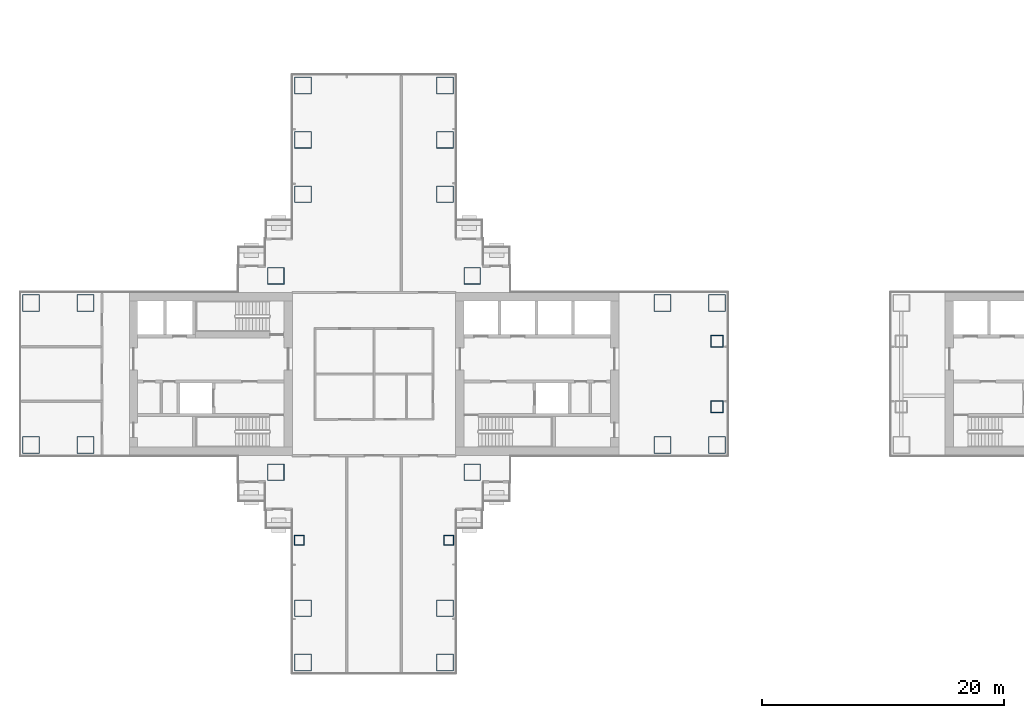
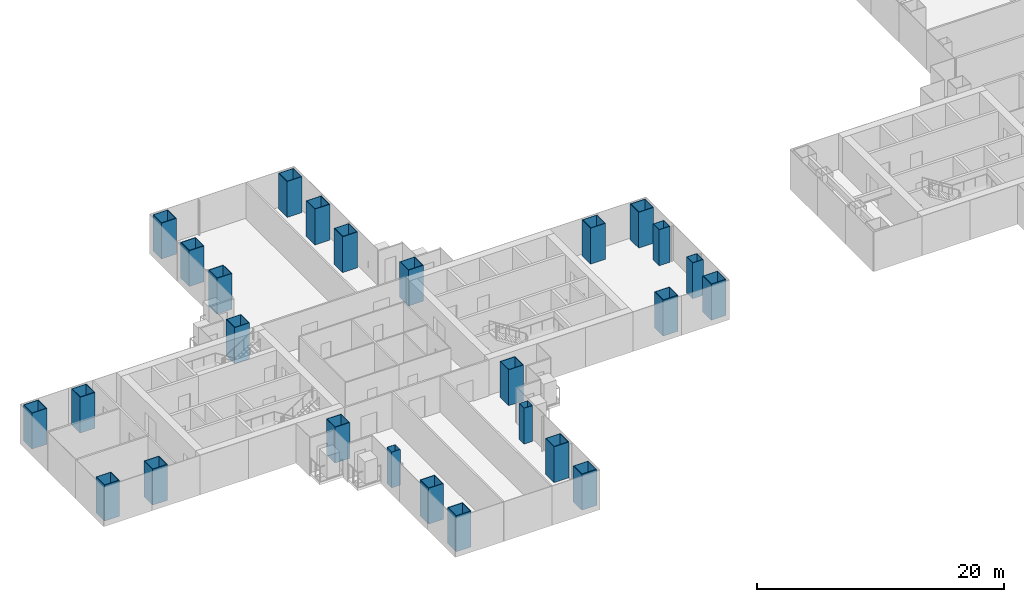
# One storey, part 1 of 21: 26 columns.
"""IFC4 building model written with IfcOpenShell, lengths in metres."""

from ifc_helpers import new_model, si_unit, direction, frame, origin, origin_2d, place, context, subcontext, project, spatial, hollow_rectangle, extrude, material, material_profile, profile_set, type_object, element, save


model = new_model("IFC4")

# Units and contexts
model_context = context("Model", 3, precision=1e-05, world=origin(), true_north=direction((0.0, 1.0)))
body_context = subcontext(model_context, "Body", "Model", "MODEL_VIEW")
ifc_project = project(units=[si_unit("LENGTHUNIT", "METRE"), si_unit("AREAUNIT", "SQUARE_METRE"), si_unit("VOLUMEUNIT", "CUBIC_METRE"), si_unit("PLANEANGLEUNIT", "RADIAN"), si_unit("MASSUNIT", "GRAM", prefix="KILO")], contexts=[model_context])

# Site, building, storey
site_placement = place(None, origin())
site = spatial("IfcSite", under=ifc_project, at=site_placement, CompositionType="ELEMENT")
building_placement = place(site_placement, origin())
building = spatial("IfcBuilding", under=site, at=building_placement, Name="Shamsa Quay Exchange Towers", CompositionType="ELEMENT")
storey_placement = place(building_placement, frame((0.0, 0.0, 42.0)))
storey = spatial("IfcBuildingStorey", under=building, at=storey_placement, Name="L08", CompositionType="ELEMENT", Elevation=42.0)

# Columns
ifc_material_1 = material(Name="Concrete-filled steel tube S355 / C80/95", Category="concrete")
ifc_material_profile_1 = material_profile(ifc_material_1, hollow_rectangle(XDim=1.39990234375, YDim=1.39990234375, WallThickness=0.050048828125, at=origin_2d()), Name="CFT 1400x1400x50")
ifc_profile_set_1 = profile_set([ifc_material_profile_1], Name="Concrete-filled steel tube S355 / C80/95")
column_type_1 = type_object("IfcColumnType", Name="Column CFT 1400x1400x50", PredefinedType="COLUMN", material=ifc_profile_set_1)
for number, where, name in (
    (1, (-25.625, 8.125, 0.0), "Mega column T1-CM01"),
    (2, (-25.625, -8.125, 0.0), "Mega column T1-CM02"),
    (3, (-41.875, 8.125, 0.0), "Mega column T1-CM03"),
    (4, (-41.875, -8.125, 0.0), "Mega column T1-CM04"),
    (5, (-9.875, -5.875, 0.0), "Mega column T1-CM05"),
    (6, (-5.375, -5.875, 0.0), "Mega column T1-CM06"),
    (7, (-9.875, 5.875, 0.0), "Mega column T1-CM07"),
    (8, (-5.375, 5.875, 0.0), "Mega column T1-CM08"),
    (9, (-57.625, -5.875, 0.0), "Mega column T1-CM09"),
    (10, (-62.125, -5.875, 0.0), "Mega column T1-CM10"),
    (11, (-57.625, 5.875, 0.0), "Mega column T1-CM11"),
    (12, (-62.125, 5.875, 0.0), "Mega column T1-CM12"),
    (13, (-39.625, 14.875, 0.0), "Mega column T1-CM13"),
    (14, (-39.625, 19.375, 0.0), "Mega column T1-CM14"),
    (15, (-39.625, 23.875, 0.0), "Mega column T1-CM15"),
    (16, (-27.875, 14.875, 0.0), "Mega column T1-CM16"),
    (17, (-27.875, 19.375, 0.0), "Mega column T1-CM17"),
    (18, (-27.875, 23.875, 0.0), "Mega column T1-CM18"),
    (19, (-39.625, -19.375, 0.0), "Mega column T1-CM20"),
    (20, (-39.625, -23.875, 0.0), "Mega column T1-CM21"),
    (21, (-27.875, -19.375, 0.0), "Mega column T1-CM23"),
    (22, (-27.875, -23.875, 0.0), "Mega column T1-CM24"),
):
    element("IfcColumn", number, at=place(storey_placement, frame(where)), inside=storey, type_object=column_type_1, Name=name, PredefinedType="COLUMN", context=body_context, shape_type="SweptSolid", body=[
        extrude(hollow_rectangle(XDim=1.39990234375, YDim=1.39990234375, WallThickness=0.050048828125, at=origin_2d()), origin(), (0.0, 0.0, 1.0), 3.550048828125),
    ])
ifc_material_2 = material(Name="Concrete-filled steel tube S355 / C60/75", Category="concrete")
ifc_material_profile_2 = material_profile(ifc_material_2, hollow_rectangle(XDim=0.800048828125, YDim=0.800048828125, WallThickness=0.02490234375, at=origin_2d()), Name="CFT 800x800x25")
ifc_profile_set_2 = profile_set([ifc_material_profile_2], Name="Concrete-filled steel tube S355 / C60/75")
column_type_2 = type_object("IfcColumnType", Name="Column CFT 800x800x25", PredefinedType="COLUMN", material=ifc_profile_set_2)
for number, where, name in (
    (23, (-39.9375, -13.75, 0.0), "Perimeter column T1-CP19"),
    (24, (-27.5625, -13.75, 0.0), "Perimeter column T1-CP22"),
):
    element("IfcColumn", number, at=place(storey_placement, frame(where)), inside=storey, type_object=column_type_2, Name=name, PredefinedType="COLUMN", context=body_context, shape_type="SweptSolid", body=[
        extrude(hollow_rectangle(XDim=0.800048828125, YDim=0.800048828125, WallThickness=0.02490234375, at=origin_2d()), origin(), (0.0, 0.0, 1.0), 3.550048828125),
    ])
ifc_material_3 = material(Name="Concrete-filled steel tube S355 / C70/85", Category="concrete")
ifc_material_profile_3 = material_profile(ifc_material_3, hollow_rectangle(XDim=1.0, YDim=1.0, WallThickness=0.0400390625, at=origin_2d()), Name="CFT 1000x1000x40")
ifc_profile_set_3 = profile_set([ifc_material_profile_3], Name="Concrete-filled steel tube S355 / C70/85")
column_type_3 = type_object("IfcColumnType", Name="Landing column CFT 1000x1000x40", PredefinedType="COLUMN", material=ifc_profile_set_3)
for number, where, name in (
    (25, (-5.375, -2.699951171875, 0.0), "Landing column T1 S"),
    (26, (-5.375, 2.699951171875, 0.0), "Landing column T1 N"),
):
    element("IfcColumn", number, at=place(storey_placement, frame(where)), inside=storey, type_object=column_type_3, Name=name, PredefinedType="COLUMN", context=body_context, shape_type="SweptSolid", body=[
        extrude(hollow_rectangle(XDim=1.0, YDim=1.0, WallThickness=0.0400390625, at=origin_2d()), origin(), (0.0, 0.0, 1.0), 3.550048828125),
    ])

save(model, "model.ifc")
